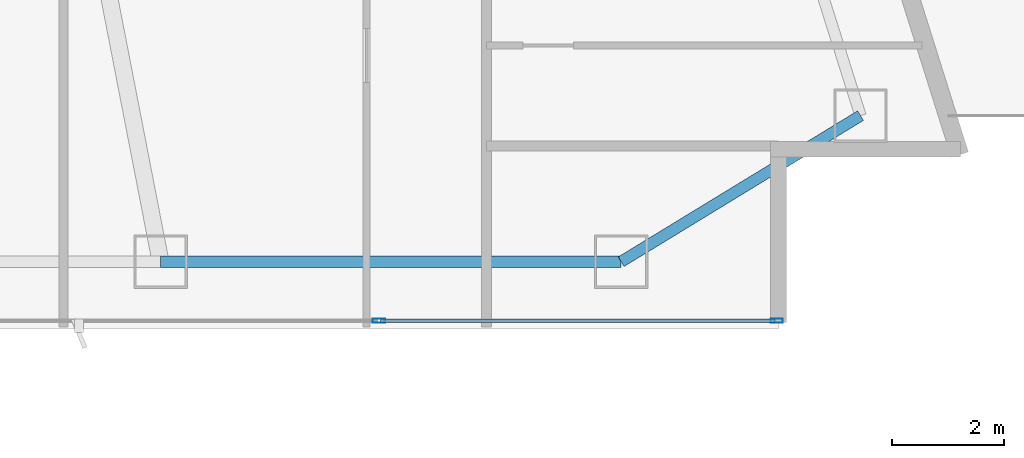
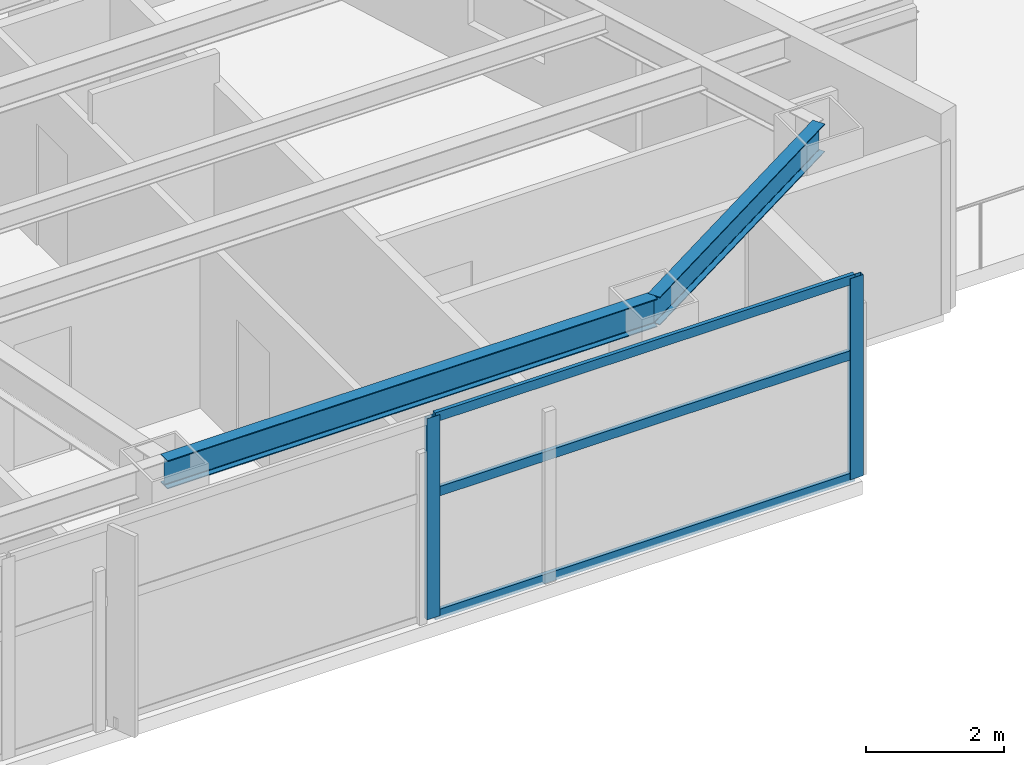
# One storey, part 14 of 30: 5 members, 2 beams, 1 element without a shape of its own.
"""IFC4 building model written with IfcOpenShell, lengths in metres."""

from ifc_helpers import new_model, si_unit, direction, frame, origin, origin_2d, place, context, subcontext, project, spatial, hollow_rectangle, i_section, extrude, material, layer, layer_set, material_profile, profile_set, type_object, element, aggregate, save


model = new_model("IFC4")

# Units and contexts
model_context = context("Model", 3, precision=1e-05, world=origin(), true_north=direction((0.0, 1.0)))
body_context = subcontext(model_context, "Body", "Model", "MODEL_VIEW")
ifc_project = project(units=[si_unit("LENGTHUNIT", "METRE"), si_unit("AREAUNIT", "SQUARE_METRE"), si_unit("VOLUMEUNIT", "CUBIC_METRE"), si_unit("PLANEANGLEUNIT", "RADIAN"), si_unit("MASSUNIT", "GRAM", prefix="KILO")], contexts=[model_context])

# Site, building, storey
site_placement = place(None, origin())
site = spatial("IfcSite", under=ifc_project, at=site_placement, CompositionType="ELEMENT")
building_placement = place(site_placement, origin())
building = spatial("IfcBuilding", under=site, at=building_placement, Name="Calvorn Quay Hotel", CompositionType="ELEMENT")
storey_placement = place(building_placement, frame((0.0, 0.0, 27.0)))
storey = spatial("IfcBuildingStorey", under=building, at=storey_placement, Name="L05", CompositionType="ELEMENT", Elevation=27.0)

# Beams
ifc_material_1 = material(Name="Steel Q355B", Category="steel")
ifc_material_profile_1 = material_profile(ifc_material_1, i_section(OverallWidth=0.199951171875, OverallDepth=0.5, WebThickness=0.010009765625, FlangeThickness=0.01611328125, FilletRadius=0.01611328125, at=origin_2d()), Name="HN500x200x10x16")
ifc_profile_set_1 = profile_set([ifc_material_profile_1], Name="Steel Q355B")
beam_type = type_object("IfcBeamType", Name="BM-SPANDREL-Z1", PredefinedType="SPANDREL", material=ifc_profile_set_1)
beam_1_placement = place(storey_placement, frame((49.39990234375, 3.60009765625, 3.2900390625), z_axis=(1.0, 0.0, 0.0), x_axis=(0.0, 1.0, 0.0)))
element("IfcBeam", 1, at=beam_1_placement, inside=storey, type_object=beam_type, Name="Beam BSP-L05-S6", PredefinedType="SPANDREL", context=body_context, shape_type="SweptSolid", body=[
    extrude(i_section(OverallWidth=0.199951171875, OverallDepth=0.5, WebThickness=0.010009765625, FlangeThickness=0.01611328125, FilletRadius=0.01611328125, at=origin_2d()), origin(), (0.0, 0.0, 1.0), 8.2001953125),
])
beam_2_placement = place(storey_placement, frame((57.60009765625, 3.60009765625, 3.2900390625), z_axis=(0.853645546466, 0.520854376, 0.0), x_axis=(-0.520854376, 0.853645546466, 0.0)))
element("IfcBeam", 2, at=beam_2_placement, inside=storey, type_object=beam_type, Name="Beam BSP-L05-S7", PredefinedType="SPANDREL", context=body_context, shape_type="SweptSolid", body=[
    extrude(i_section(OverallWidth=0.199951171875, OverallDepth=0.5, WebThickness=0.010009765625, FlangeThickness=0.01611328125, FilletRadius=0.01611328125, at=origin_2d()), origin(), (0.0, 0.0, 1.0), 4.991455078125),
])

# Curtain wall, members
ifc_material_2 = material(Name="Pale Anodised Aluminium and Low-E Glass", Category="aluminium")
ifc_layer = layer(ifc_material_2, 0.219970703125)
ifc_layer_set = layer_set([ifc_layer], Name="CW-SYS-Z1")
curtain_wall_type = type_object("IfcCurtainWallType", Name="CW-SYS-Z1", PredefinedType="NOTDEFINED", material=ifc_layer_set)
curtain_wall_placement = place(storey_placement, origin())
curtain_wall = element("IfcCurtainWall", 3, at=curtain_wall_placement, inside=storey, type_object=curtain_wall_type, Name="Tower South Waterfront Curtain Wall (L05)", PredefinedType="NOTDEFINED")
ifc_material_3 = material(Name="Pale Anodised Aluminium 6063-T6", Category="aluminium")
ifc_material_profile_2 = material_profile(ifc_material_3, hollow_rectangle(XDim=0.074951171875, YDim=0.219970703125, WallThickness=0.00439453125, at=origin_2d()), Name="ALU-M220x75x4.5")
ifc_profile_set_2 = profile_set([ifc_material_profile_2], Name="Pale Anodised Aluminium 6063-T6")
member_type_1 = type_object("IfcMemberType", Name="CW-SYS-Z1-MUL", PredefinedType="MULLION", material=ifc_profile_set_2)
member_1_placement = place(storey_placement, frame((53.28564453125, 2.550048828125, 0.0), z_axis=(0.0, 0.0, 1.0), x_axis=(0.0, 1.0, 0.0)))
member_1 = element("IfcMember", 4, at=member_1_placement, type_object=member_type_1, Name="CW-L05-S mullion 7", PredefinedType="MULLION", context=body_context, shape_type="SweptSolid", body=[
    extrude(hollow_rectangle(XDim=0.074951171875, YDim=0.219970703125, WallThickness=0.00439453125, at=origin_2d()), origin(), (0.0, 0.0, 1.0), 3.56005859375),
])
member_2_placement = place(storey_placement, frame((60.3701171875, 2.550048828125, 0.0), z_axis=(0.0, 0.0, 1.0), x_axis=(0.0, 1.0, 0.0)))
member_2 = element("IfcMember", 5, at=member_2_placement, type_object=member_type_1, Name="CW-L05-S mullion 8", PredefinedType="MULLION", context=body_context, shape_type="SweptSolid", body=[
    extrude(hollow_rectangle(XDim=0.074951171875, YDim=0.219970703125, WallThickness=0.00439453125, at=origin_2d()), origin(), (0.0, 0.0, 1.0), 3.56005859375),
])
ifc_material_4 = material(Name="Pale Anodised Aluminium 6063-T6", Category="aluminium")
ifc_material_profile_3 = material_profile(ifc_material_4, hollow_rectangle(XDim=0.06494140625, YDim=0.1650390625, WallThickness=0.00341796875, at=origin_2d()), Name="ALU-T165x65x3.5")
ifc_profile_set_3 = profile_set([ifc_material_profile_3], Name="Pale Anodised Aluminium 6063-T6")
member_type_2 = type_object("IfcMemberType", Name="CW-SYS-Z1-TRN", PredefinedType="USERDEFINED", material=ifc_profile_set_3)
member_3_placement = place(storey_placement, frame((53.315673828125, 2.550048828125, 0.030029296875), z_axis=(1.0, 0.0, 0.0), x_axis=(0.0, 1.0, 0.0)))
member_3 = element("IfcMember", 6, at=member_3_placement, type_object=member_type_2, Name="CW-L05-S transom 7.1", ObjectType="TRANSOM", PredefinedType="USERDEFINED", context=body_context, shape_type="SweptSolid", body=[
    extrude(hollow_rectangle(XDim=0.06494140625, YDim=0.1650390625, WallThickness=0.00341796875, at=origin_2d()), origin(), (0.0, 0.0, 1.0), 7.0244140625),
])
member_4_placement = place(storey_placement, frame((53.315673828125, 2.550048828125, 2.199951171875), z_axis=(1.0, 0.0, 0.0), x_axis=(0.0, 1.0, 0.0)))
member_4 = element("IfcMember", 7, at=member_4_placement, type_object=member_type_2, Name="CW-L05-S transom 7.2", ObjectType="TRANSOM", PredefinedType="USERDEFINED", context=body_context, shape_type="SweptSolid", body=[
    extrude(hollow_rectangle(XDim=0.06494140625, YDim=0.1650390625, WallThickness=0.00341796875, at=origin_2d()), origin(), (0.0, 0.0, 1.0), 7.0244140625),
])
member_5_placement = place(storey_placement, frame((53.315673828125, 2.550048828125, 3.530029296875), z_axis=(1.0, 0.0, 0.0), x_axis=(0.0, 1.0, 0.0)))
member_5 = element("IfcMember", 8, at=member_5_placement, type_object=member_type_2, Name="CW-L05-S transom 7.3", ObjectType="TRANSOM", PredefinedType="USERDEFINED", context=body_context, shape_type="SweptSolid", body=[
    extrude(hollow_rectangle(XDim=0.06494140625, YDim=0.1650390625, WallThickness=0.00341796875, at=origin_2d()), origin(), (0.0, 0.0, 1.0), 7.0244140625),
])
aggregate(curtain_wall, [member_1, member_2, member_3, member_4, member_5])

save(model, "model.ifc")
